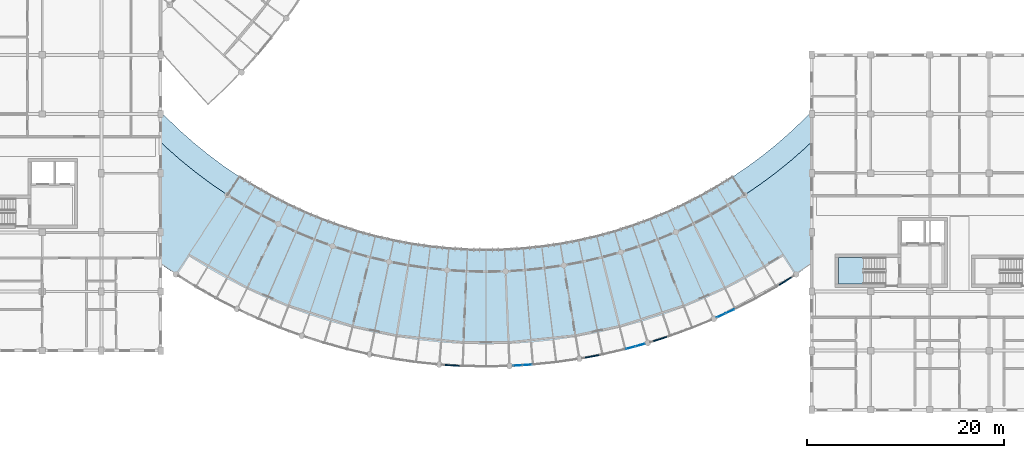
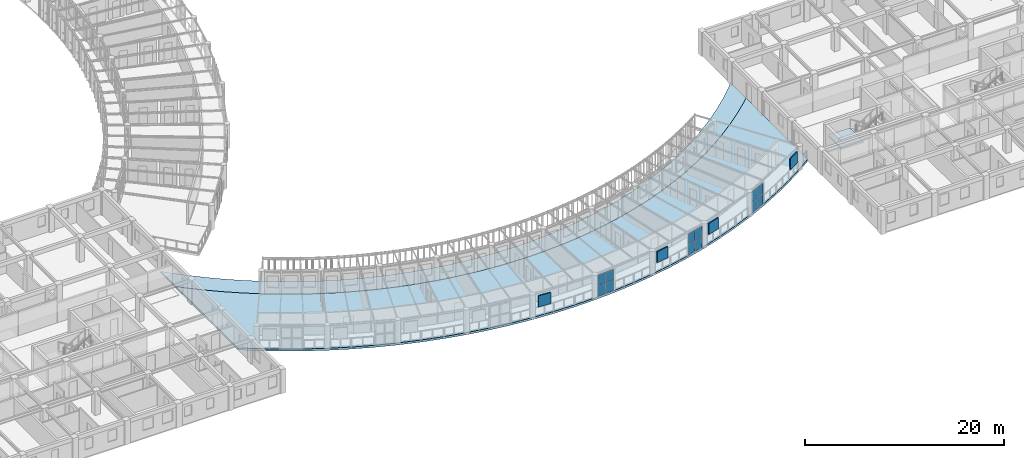
# One storey, part 46 of 100: 16 plates, 3 slabs, 4 elements without a shape of their own.
"""IFC4 building model written with IfcOpenShell, lengths in metres."""

from ifc_helpers import new_model, si_unit, direction, frame, origin, origin_2d, place, context, subcontext, project, spatial, polyline, rectangle, outline, extrude, material, layer, layer_set, type_object, element, aggregate, save


model = new_model("IFC4")

# Units and contexts
model_context = context("Model", 3, precision=1e-05, world=origin(), true_north=direction((0.0, 1.0)))
body_context = subcontext(model_context, "Body", "Model", "MODEL_VIEW")
ifc_project = project(units=[si_unit("LENGTHUNIT", "METRE"), si_unit("AREAUNIT", "SQUARE_METRE"), si_unit("VOLUMEUNIT", "CUBIC_METRE"), si_unit("PLANEANGLEUNIT", "RADIAN"), si_unit("MASSUNIT", "GRAM", prefix="KILO"), si_unit("POWERUNIT", "WATT"), si_unit("THERMODYNAMICTEMPERATUREUNIT", "KELVIN")], contexts=[model_context])

# Site, building, storey
site_placement = place(None, origin())
site = spatial("IfcSite", under=ifc_project, at=site_placement, CompositionType="ELEMENT")
building_placement = place(site_placement, origin())
building = spatial("IfcBuilding", under=site, at=building_placement, Name="Ruvembo Vaulted Housing Court", CompositionType="ELEMENT")
storey_placement = place(building_placement, frame((0.0, 0.0, 14.10009765625)))
storey = spatial("IfcBuildingStorey", under=building, at=storey_placement, Name="L04", CompositionType="ELEMENT", Elevation=14.10009765625)

# Curtain wall, plates
ifc_material_1 = material(Name="Anodised Aluminium and Solar-Control Glass", Category="aluminium")
ifc_layer_1 = layer(ifc_material_1, 0.139892578125, Name="Anodised Aluminium and Solar-Control Glass")
ifc_layer_set_1 = layer_set([ifc_layer_1], Name="Anodised Aluminium and Solar-Control Glass")
curtain_wall_type_1 = type_object("IfcCurtainWallType", Name="CW-SCOOP-PAN", PredefinedType="NOTDEFINED", material=ifc_layer_set_1)
curtain_wall_1_placement = place(storey_placement, origin())
curtain_wall_1 = element("IfcCurtainWall", 1, at=curtain_wall_1_placement, inside=storey, type_object=curtain_wall_type_1, Name="L04 Curtain Wall CW-L04-0051", PredefinedType="NOTDEFINED")
ifc_material_2 = material(Name="Solar-Control Laminated Insulating Glass", Category="glass")
ifc_layer_2 = layer(ifc_material_2, 0.035888671875, Name="Solar-Control Laminated Insulating Glass")
ifc_layer_set_2 = layer_set([ifc_layer_2], Name="Solar-Control Laminated Insulating Glass")
plate_type_1 = type_object("IfcPlateType", Name="CW-PANEL-ACOUST", PredefinedType="CURTAIN_PANEL", material=ifc_layer_set_2)
plate_1_placement = place(storey_placement, frame((83.661865234375, 6.306640625, 0.06005859375), z_axis=(0.0, 0.0, 1.0), x_axis=(0.964260896003, 0.26495457052, 0.0)))
plate_1 = element("IfcPlate", 2, at=plate_1_placement, type_object=plate_type_1, Name="CW10 panel 1.1", PredefinedType="CURTAIN_PANEL", context=body_context, shape_type="SweptSolid", body=[
    extrude(rectangle(XDim=0.930419921875, YDim=0.035888671875, at=origin_2d()), origin(), (0.0, 0.0, 1.0), 1.259033203125),
])
plate_2_placement = place(storey_placement, frame((83.661865234375, 6.306640625, 1.37890625), z_axis=(0.0, 0.0, 1.0), x_axis=(0.964260896003, 0.26495457052, 0.0)))
plate_2 = element("IfcPlate", 3, at=plate_2_placement, type_object=plate_type_1, Name="CW10 panel 1.2", PredefinedType="CURTAIN_PANEL", context=body_context, shape_type="SweptSolid", body=[
    extrude(rectangle(XDim=0.930419921875, YDim=0.035888671875, at=origin_2d()), origin(), (0.0, 0.0, 1.0), 1.259033203125),
])
plate_3_placement = place(storey_placement, frame((84.612060546875, 6.567626953125, 0.06005859375), z_axis=(0.0, 0.0, 1.0), x_axis=(0.964260896003, 0.26495457052, 0.0)))
plate_3 = element("IfcPlate", 4, at=plate_3_placement, type_object=plate_type_1, Name="CW10 panel 2.1", PredefinedType="CURTAIN_PANEL", context=body_context, shape_type="SweptSolid", body=[
    extrude(rectangle(XDim=0.930419921875, YDim=0.035888671875, at=origin_2d()), origin(), (0.0, 0.0, 1.0), 1.259033203125),
])
plate_4_placement = place(storey_placement, frame((84.612060546875, 6.567626953125, 1.37890625), z_axis=(0.0, 0.0, 1.0), x_axis=(0.964260896003, 0.26495457052, 0.0)))
plate_4 = element("IfcPlate", 5, at=plate_4_placement, type_object=plate_type_1, Name="CW10 panel 2.2", PredefinedType="CURTAIN_PANEL", context=body_context, shape_type="SweptSolid", body=[
    extrude(rectangle(XDim=0.930419921875, YDim=0.035888671875, at=origin_2d()), origin(), (0.0, 0.0, 1.0), 1.259033203125),
])
aggregate(curtain_wall_1, [plate_1, plate_2, plate_3, plate_4])

ifc_layer_3 = layer(ifc_material_1, 0.1201171875, Name="Anodised Aluminium and Solar-Control Glass")
ifc_layer_set_3 = layer_set([ifc_layer_3], Name="Anodised Aluminium and Solar-Control Glass")
curtain_wall_type_2 = type_object("IfcCurtainWallType", Name="CW-SCOOP-GAL", PredefinedType="NOTDEFINED", material=ifc_layer_set_3)
curtain_wall_2_placement = place(storey_placement, origin())
curtain_wall_2 = element("IfcCurtainWall", 6, at=curtain_wall_2_placement, inside=storey, type_object=curtain_wall_type_2, Name="L04 Curtain Wall CW-L04-0050", PredefinedType="NOTDEFINED")
ifc_layer_4 = layer(ifc_material_2, 0.028076171875, Name="Solar-Control Laminated Insulating Glass")
ifc_layer_set_4 = layer_set([ifc_layer_4], Name="Solar-Control Laminated Insulating Glass")
plate_type_2 = type_object("IfcPlateType", Name="CW-PANEL-GLAZED", PredefinedType="CURTAIN_PANEL", material=ifc_layer_set_4)
plate_5_placement = place(storey_placement, frame((72.19677734375, 4.499755859375, 0.06005859375), z_axis=(0.0, 0.0, 1.0), x_axis=(0.998085851692, 0.06184361449, 0.0)))
plate_5 = element("IfcPlate", 7, at=plate_5_placement, type_object=plate_type_2, Name="CW6 panel 1.1", PredefinedType="CURTAIN_PANEL", context=body_context, shape_type="SweptSolid", body=[
    extrude(rectangle(XDim=0.91552734375, YDim=0.028076171875, at=origin_2d()), origin(), (0.0, 0.0, 1.0), 1.259033203125),
])
plate_6_placement = place(storey_placement, frame((72.19677734375, 4.499755859375, 1.37890625), z_axis=(0.0, 0.0, 1.0), x_axis=(0.998085851692, 0.06184361449, 0.0)))
plate_6 = element("IfcPlate", 8, at=plate_6_placement, type_object=plate_type_2, Name="CW6 panel 1.2", PredefinedType="CURTAIN_PANEL", context=body_context, shape_type="SweptSolid", body=[
    extrude(rectangle(XDim=0.91552734375, YDim=0.028076171875, at=origin_2d()), origin(), (0.0, 0.0, 1.0), 1.259033203125),
])
plate_7_placement = place(storey_placement, frame((73.17529296875, 4.560546875, 0.06005859375), z_axis=(0.0, 0.0, 1.0), x_axis=(0.998085851692, 0.06184361449, 0.0)))
plate_7 = element("IfcPlate", 9, at=plate_7_placement, type_object=plate_type_2, Name="CW6 panel 2.1", PredefinedType="CURTAIN_PANEL", context=body_context, shape_type="SweptSolid", body=[
    extrude(rectangle(XDim=0.91552734375, YDim=0.028076171875, at=origin_2d()), origin(), (0.0, 0.0, 1.0), 1.259033203125),
])
plate_8_placement = place(storey_placement, frame((73.17529296875, 4.560546875, 1.37890625), z_axis=(0.0, 0.0, 1.0), x_axis=(0.998085851692, 0.06184361449, 0.0)))
plate_8 = element("IfcPlate", 10, at=plate_8_placement, type_object=plate_type_2, Name="CW6 panel 2.2", PredefinedType="CURTAIN_PANEL", context=body_context, shape_type="SweptSolid", body=[
    extrude(rectangle(XDim=0.91552734375, YDim=0.028076171875, at=origin_2d()), origin(), (0.0, 0.0, 1.0), 1.259033203125),
])
aggregate(curtain_wall_2, [plate_5, plate_6, plate_7, plate_8])

curtain_wall_3_placement = place(storey_placement, origin())
curtain_wall_3 = element("IfcCurtainWall", 11, at=curtain_wall_3_placement, inside=storey, type_object=curtain_wall_type_1, Name="L04 Curtain Wall CW-L04-0052", PredefinedType="NOTDEFINED")
ifc_layer_5 = layer(ifc_material_2, 0.031982421875, Name="Solar-Control Laminated Insulating Glass")
ifc_layer_set_5 = layer_set([ifc_layer_5], Name="Solar-Control Laminated Insulating Glass")
plate_type_3 = type_object("IfcPlateType", Name="CW-PANEL-SOLAR", PredefinedType="CURTAIN_PANEL", material=ifc_layer_set_5)
plate_9_placement = place(storey_placement, frame((92.83935546875, 9.576904296875, 0.06494140625), z_axis=(0.0, 0.0, 1.0), x_axis=(0.907644200013, 0.419740403325, 0.0)))
plate_9 = element("IfcPlate", 12, at=plate_9_placement, type_object=plate_type_3, Name="CW10 panel 1.1", PredefinedType="CURTAIN_PANEL", context=body_context, shape_type="SweptSolid", body=[
    extrude(rectangle(XDim=0.923095703125, YDim=0.031982421875, at=origin_2d()), origin(), (0.0, 0.0, 1.0), 1.25146484375),
])
plate_10_placement = place(storey_placement, frame((92.83935546875, 9.576904296875, 1.38134765625), z_axis=(0.0, 0.0, 1.0), x_axis=(0.907644200013, 0.419740403325, 0.0)))
plate_10 = element("IfcPlate", 13, at=plate_10_placement, type_object=plate_type_3, Name="CW10 panel 1.2", PredefinedType="CURTAIN_PANEL", context=body_context, shape_type="SweptSolid", body=[
    extrude(rectangle(XDim=0.923095703125, YDim=0.031982421875, at=origin_2d()), origin(), (0.0, 0.0, 1.0), 1.25146484375),
])
plate_11_placement = place(storey_placement, frame((93.7314453125, 9.989501953125, 0.06494140625), z_axis=(0.0, 0.0, 1.0), x_axis=(0.907644200013, 0.419740403325, 0.0)))
plate_11 = element("IfcPlate", 14, at=plate_11_placement, type_object=plate_type_3, Name="CW10 panel 2.1", PredefinedType="CURTAIN_PANEL", context=body_context, shape_type="SweptSolid", body=[
    extrude(rectangle(XDim=0.923095703125, YDim=0.031982421875, at=origin_2d()), origin(), (0.0, 0.0, 1.0), 1.25146484375),
])
plate_12_placement = place(storey_placement, frame((93.7314453125, 9.989501953125, 1.38134765625), z_axis=(0.0, 0.0, 1.0), x_axis=(0.907644200013, 0.419740403325, 0.0)))
plate_12 = element("IfcPlate", 15, at=plate_12_placement, type_object=plate_type_3, Name="CW10 panel 2.2", PredefinedType="CURTAIN_PANEL", context=body_context, shape_type="SweptSolid", body=[
    extrude(rectangle(XDim=0.923095703125, YDim=0.031982421875, at=origin_2d()), origin(), (0.0, 0.0, 1.0), 1.25146484375),
])
aggregate(curtain_wall_3, [plate_9, plate_10, plate_11, plate_12])

# Plates
ifc_material_3 = material(Name="Perforated Glazed Ceramic Cobogo Block", Category="ceramic")
ifc_layer_6 = layer(ifc_material_3, 0.1201171875, Name="Perforated Glazed Ceramic Cobogo Block")
ifc_layer_set_6 = layer_set([ifc_layer_6], Name="Perforated Glazed Ceramic Cobogo Block")
plate_type_4 = type_object("IfcPlateType", Name="PL-COBOGO-120", PredefinedType="USERDEFINED", material=ifc_layer_set_6)
for number, where, z_axis, x_axis, name in (
    (16, (65.5634765625, 4.5146484375, 1.11962890625), (0.0, 0.0, 1.0), (0.998086543166, -0.061832453863, 0.0), "Scoop SC2 L04 Ceramic Cobogo Screen #59"),
    (17, (79.752197265625, 5.4248046875, 1.11962890625), (0.0, 0.0, 1.0), (0.982816353606, 0.184586064165, 0.0), "Scoop SC2 L04 Ceramic Cobogo Screen #60"),
    (18, (86.65380859375, 7.184814453125, 1.11962890625), (0.0, 0.0, 1.0), (0.952523417345, 0.304465333674, 0.0), "Scoop SC2 L04 Ceramic Cobogo Screen #61"),
    (19, (99.333251953125, 13.04833984375, 1.11962890625), (0.0, 0.0, 1.0), (0.848888670256, 0.528571684363, 0.0), "Scoop SC2 L04 Ceramic Cobogo Screen #62"),
):
    element("IfcPlate", number, at=place(storey_placement, frame(where, z_axis=z_axis, x_axis=x_axis)), inside=storey, type_object=plate_type_4, Name=name, ObjectType="COBOGO_PANEL", PredefinedType="USERDEFINED", context=body_context, shape_type="SweptSolid", body=[
        extrude(rectangle(XDim=1.39990234375, YDim=0.1201171875, at=origin_2d()), origin(), (0.0, 0.0, 1.0), 1.360107421875),
    ])

# Slab
ifc_material_4 = material(Name="Concrete C35/45", Category="concrete")
ifc_layer_7 = layer(ifc_material_4, 0.179931640625, Name="Concrete C35/45")
ifc_layer_set_7 = layer_set([ifc_layer_7], Name="Concrete C35/45")
slab_type_1 = type_object("IfcSlabType", Name="SL-BAL-180", PredefinedType="FLOOR", material=ifc_layer_set_7)
slab_1_placement = place(storey_placement, frame((0.0, 0.0, -0.18017578125)))
element("IfcSlab", 20, at=slab_1_placement, inside=storey, type_object=slab_type_1, Name="Scoop SC2 L04 Continuous Curved Balcony Slab", PredefinedType="FLOOR", context=body_context, shape_type="SweptSolid", body=[
    extrude(outline(polyline([(36.0, 30.2548828125), (36.0, 27.156494140625), (36.543701171875, 26.636474609375), (38.02978515625, 25.327880859375), (39.568359375, 24.081787109375), (41.1572265625, 22.900390625), (42.79345703125, 21.785400390625), (44.474365234375, 20.73876953125), (46.19677734375, 19.762451171875), (47.958251953125, 18.85791015625), (49.75537109375, 18.02685546875), (51.585205078125, 17.2705078125), (53.44482421875, 16.59033203125), (55.330810546875, 15.987548828125), (57.239990234375, 15.462890625), (59.169189453125, 15.017578125), (61.115234375, 14.652099609375), (63.07470703125, 14.3671875), (65.044189453125, 14.163330078125), (67.0205078125, 14.040771484375), (69.0, 14.0), (70.9794921875, 14.040771484375), (72.955810546875, 14.163330078125), (74.92529296875, 14.3671875), (76.884765625, 14.652099609375), (78.830810546875, 15.017578125), (80.760009765625, 15.462890625), (82.669189453125, 15.987548828125), (84.55517578125, 16.59033203125), (86.414794921875, 17.2705078125), (88.24462890625, 18.02685546875), (90.041748046875, 18.85791015625), (91.80322265625, 19.762451171875), (93.525634765625, 20.73876953125), (95.20654296875, 21.785400390625), (96.8427734375, 22.900390625), (98.431640625, 24.081787109375), (99.97021484375, 25.327880859375), (101.456298828125, 26.636474609375), (102.0, 27.156494140625), (102.0, 30.2548828125), (101.333984375, 29.563232421875), (99.96875, 28.25732421875), (98.55078125, 27.0087890625), (97.08251953125, 25.81982421875), (95.566650390625, 24.6923828125), (94.00537109375, 23.62841796875), (92.401611328125, 22.6298828125), (90.758056640625, 21.6982421875), (89.077392578125, 20.835205078125), (87.362548828125, 20.042236328125), (85.61669921875, 19.320556640625), (83.84228515625, 18.671630859375), (82.042724609375, 18.096435546875), (80.220947265625, 17.595703125), (78.380126953125, 17.1708984375), (76.523193359375, 16.822021484375), (74.65380859375, 16.55029296875), (72.7744140625, 16.355712890625), (70.888916015625, 16.239013671875), (69.0, 16.199951171875), (67.111083984375, 16.239013671875), (65.2255859375, 16.355712890625), (63.34619140625, 16.55029296875), (61.476806640625, 16.822021484375), (59.619873046875, 17.1708984375), (57.779052734375, 17.595703125), (55.957275390625, 18.096435546875), (54.15771484375, 18.671630859375), (52.38330078125, 19.320556640625), (50.637451171875, 20.042236328125), (48.922607421875, 20.835205078125), (47.241943359375, 21.6982421875), (45.598388671875, 22.6298828125), (43.99462890625, 23.62841796875), (42.433349609375, 24.6923828125), (40.91748046875, 25.81982421875), (39.44921875, 27.0087890625), (38.03125, 28.25732421875), (36.666015625, 29.563232421875), (36.0, 30.2548828125)])), origin(), (0.0, 0.0, 1.0), 0.18017578125),
])

# Stair, slab
stair_type = type_object("IfcStairType", Name="STR-CORE-1250", PredefinedType="HALF_TURN_STAIR", material=ifc_material_4)
stair_placement = place(storey_placement, origin())
stair = element("IfcStair", 21, at=stair_placement, inside=storey, type_object=stair_type, Name="L04 Protected Exit Stair ST-C1", PredefinedType="HALF_TURN_STAIR")
ifc_material_5 = material(Name="Concrete C30/37", Category="concrete")
ifc_layer_8 = layer(ifc_material_5, 0.201904296875, Name="Concrete C30/37")
ifc_layer_set_8 = layer_set([ifc_layer_8], Name="Concrete C30/37")
slab_type_2 = type_object("IfcSlabType", Name="SL-LAND-202", PredefinedType="LANDING", material=ifc_layer_set_8)
slab_2_placement = place(storey_placement, frame((0.0, 0.0, 1.39990234375)))
slab_2 = element("IfcSlab", 22, at=slab_2_placement, type_object=slab_type_2, Name="ST-C1 landing 1", PredefinedType="LANDING", context=body_context, shape_type="SweptSolid", body=[
    extrude(outline(polyline([(107.260009765625, 15.449951171875), (104.75, 15.449951171875), (104.75, 12.75), (107.260009765625, 12.75), (107.260009765625, 15.449951171875)])), origin(), (0.0, 0.0, 1.0), 0.199951171875),
])
aggregate(stair, [slab_2])

# Slab
ifc_layer_9 = layer(ifc_material_4, 0.251953125, Name="Concrete C35/45")
ifc_layer_set_9 = layer_set([ifc_layer_9], Name="Concrete C35/45")
slab_type_3 = type_object("IfcSlabType", Name="SL-SCOOP-252", PredefinedType="FLOOR", material=ifc_layer_set_9)
slab_3_placement = place(storey_placement, frame((0.0, 0.0, -0.252197265625)))
element("IfcSlab", 23, at=slab_3_placement, inside=storey, type_object=slab_type_3, Name="Scoop SC2 L04 Floor Slab", PredefinedType="FLOOR", context=body_context, shape_type="SweptSolid", body=[
    extrude(outline(polyline([(36.0, 27.156494140625), (36.0, 14.80029296875), (37.55224609375, 13.742431640625), (39.569091796875, 12.486572265625), (41.63623046875, 11.31494140625), (43.749755859375, 10.2294921875), (45.906494140625, 9.232177734375), (48.102294921875, 8.32470703125), (50.333740234375, 7.50830078125), (52.596923828125, 6.784912109375), (54.887939453125, 6.155517578125), (57.203125, 5.62109375), (59.538330078125, 5.182373046875), (61.8896484375, 4.840576171875), (64.2529296875, 4.595947265625), (66.62451171875, 4.448974609375), (69.0, 4.39990234375), (71.37548828125, 4.448974609375), (73.7470703125, 4.595947265625), (76.1103515625, 4.840576171875), (78.461669921875, 5.182373046875), (80.796875, 5.62109375), (83.112060546875, 6.155517578125), (85.403076171875, 6.784912109375), (87.666259765625, 7.50830078125), (89.897705078125, 8.32470703125), (92.093505859375, 9.232177734375), (94.250244140625, 10.2294921875), (96.36376953125, 11.31494140625), (98.430908203125, 12.486572265625), (100.44775390625, 13.742431640625), (102.0, 14.80029296875), (102.0, 27.156494140625), (101.456298828125, 26.636474609375), (99.97021484375, 25.327880859375), (98.431640625, 24.081787109375), (96.8427734375, 22.900390625), (95.20654296875, 21.785400390625), (93.525634765625, 20.73876953125), (91.80322265625, 19.762451171875), (90.041748046875, 18.85791015625), (88.24462890625, 18.02685546875), (86.414794921875, 17.2705078125), (84.55517578125, 16.59033203125), (82.669189453125, 15.987548828125), (80.760009765625, 15.462890625), (78.830810546875, 15.017578125), (76.884765625, 14.652099609375), (74.92529296875, 14.3671875), (72.955810546875, 14.163330078125), (70.9794921875, 14.040771484375), (69.0, 14.0), (67.0205078125, 14.040771484375), (65.044189453125, 14.163330078125), (63.07470703125, 14.3671875), (61.115234375, 14.652099609375), (59.169189453125, 15.017578125), (57.239990234375, 15.462890625), (55.330810546875, 15.987548828125), (53.44482421875, 16.59033203125), (51.585205078125, 17.2705078125), (49.75537109375, 18.02685546875), (47.958251953125, 18.85791015625), (46.19677734375, 19.762451171875), (44.474365234375, 20.73876953125), (42.79345703125, 21.785400390625), (41.1572265625, 22.900390625), (39.568359375, 24.081787109375), (38.02978515625, 25.327880859375), (36.543701171875, 26.636474609375), (36.0, 27.156494140625)])), origin(), (0.0, 0.0, 1.0), 0.252197265625),
])

save(model, "model.ifc")
